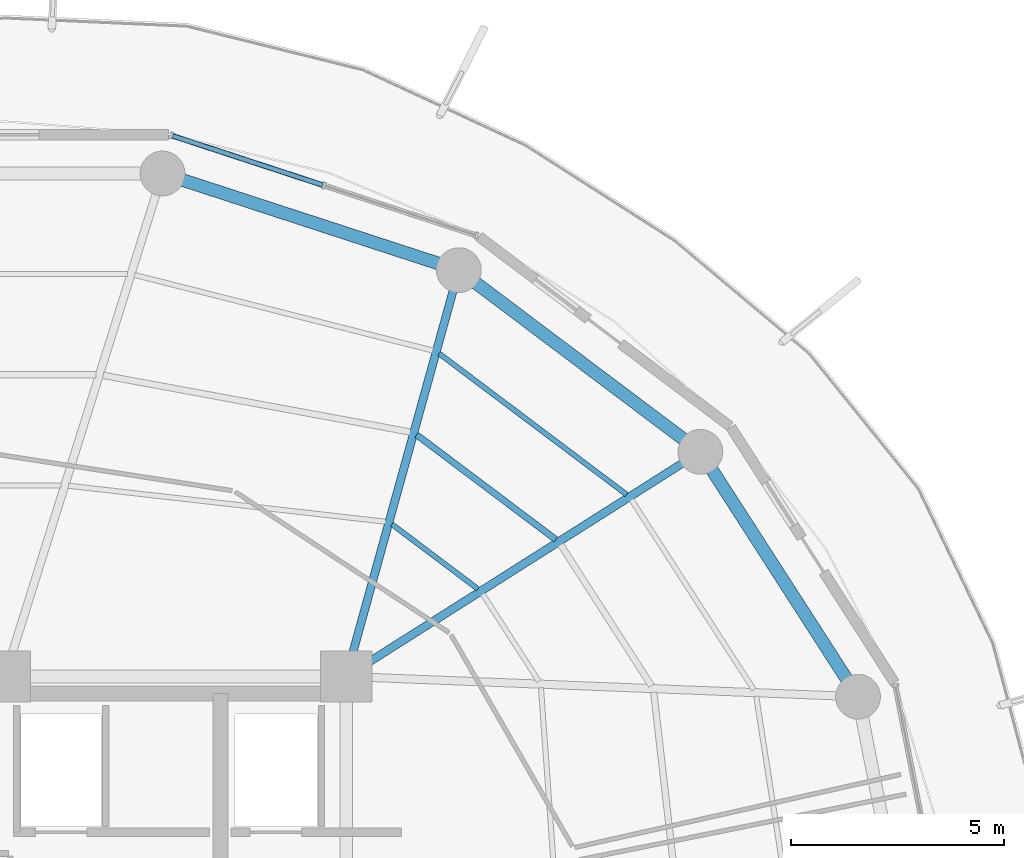
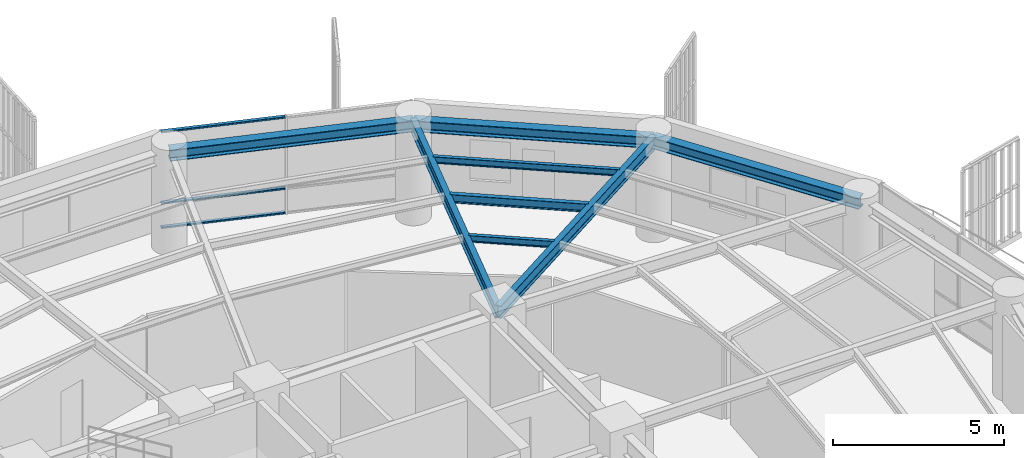
# One storey, part 21 of 31: 8 beams, 3 members, 1 element without a shape of its own.
"""IFC4 building model written with IfcOpenShell, lengths in metres."""

from ifc_helpers import new_model, si_unit, direction, frame, origin, origin_2d, place, context, subcontext, project, spatial, hollow_rectangle, i_section, extrude, material, layer, layer_set, material_profile, profile_set, type_object, element, aggregate, save


model = new_model("IFC4")

# Units and contexts
model_context = context("Model", 3, precision=1e-05, world=origin(), true_north=direction((0.0, 1.0)))
body_context = subcontext(model_context, "Body", "Model", "MODEL_VIEW")
ifc_project = project(units=[si_unit("LENGTHUNIT", "METRE"), si_unit("AREAUNIT", "SQUARE_METRE"), si_unit("VOLUMEUNIT", "CUBIC_METRE"), si_unit("PLANEANGLEUNIT", "RADIAN"), si_unit("MASSUNIT", "GRAM", prefix="KILO")], contexts=[model_context])

# Site, building, storey
site_placement = place(None, origin())
site = spatial("IfcSite", under=ifc_project, at=site_placement, CompositionType="ELEMENT")
building_placement = place(site_placement, origin())
building = spatial("IfcBuilding", under=site, at=building_placement, Name="Kelanora Arch Commons", CompositionType="ELEMENT")
storey_placement = place(building_placement, frame((0.0, 0.0, 196.949951171875)))
storey = spatial("IfcBuildingStorey", under=building, at=storey_placement, Name="L50", CompositionType="ELEMENT", Elevation=196.949951171875)

# Beams
ifc_material_1 = material(Name="Steel S355", Category="steel")
ifc_material_profile_1 = material_profile(ifc_material_1, i_section(OverallWidth=0.14990234375, OverallDepth=0.300048828125, WebThickness=0.007080078125, FlangeThickness=0.0107421875, FilletRadius=0.014892578125, at=origin_2d()), Name="IPE300")
ifc_profile_set_1 = profile_set([ifc_material_profile_1], Name="Steel S355")
beam_type_1 = type_object("IfcBeamType", Name="BM-JST-01", PredefinedType="JOIST", material=ifc_profile_set_1)
beam_1_placement = place(storey_placement, frame((86.912841796875, 68.209716796875, 3.340087890625), z_axis=(-0.799101708656, 0.601195857624, 0.0), x_axis=(-0.601195857624, -0.799101708656, 0.0)))
element("IfcBeam", 1, at=beam_1_placement, inside=storey, type_object=beam_type_1, Name="Secondary Chord Joist BJB-04 L50", PredefinedType="JOIST", context=body_context, shape_type="SweptSolid", body=[
    extrude(i_section(OverallWidth=0.14990234375, OverallDepth=0.300048828125, WebThickness=0.007080078125, FlangeThickness=0.0107421875, FilletRadius=0.014892578125, at=origin_2d()), origin(), (0.0, 0.0, 1.0), 4.080810546875),
])
ifc_material_profile_2 = material_profile(ifc_material_1, i_section(OverallWidth=0.1201171875, OverallDepth=0.239990234375, WebThickness=0.006103515625, FlangeThickness=0.009765625, FilletRadius=0.014892578125, at=origin_2d()), Name="IPE240")
ifc_profile_set_2 = profile_set([ifc_material_profile_2], Name="Steel S355")
beam_type_2 = type_object("IfcBeamType", Name="BM-JST-02", PredefinedType="JOIST", material=ifc_profile_set_2)
beam_2_placement = place(storey_placement, frame((85.086669921875, 67.051513671875, 3.3701171875), z_axis=(-0.79911638933, 0.601176343766, 0.0), x_axis=(-0.601176343766, -0.79911638933, 0.0)))
element("IfcBeam", 2, at=beam_2_placement, inside=storey, type_object=beam_type_2, Name="Secondary Chord Joist BJA-04 L50", PredefinedType="JOIST", context=body_context, shape_type="SweptSolid", body=[
    extrude(i_section(OverallWidth=0.1201171875, OverallDepth=0.239990234375, WebThickness=0.006103515625, FlangeThickness=0.009765625, FilletRadius=0.014892578125, at=origin_2d()), origin(), (0.0, 0.0, 1.0), 2.522216796875),
])
beam_3_placement = place(storey_placement, frame((88.5732421875, 69.2626953125, 3.3701171875), z_axis=(-0.799109197935, 0.601185902842, 0.0), x_axis=(-0.601185902842, -0.799109197935, 0.0)))
element("IfcBeam", 3, at=beam_3_placement, inside=storey, type_object=beam_type_2, Name="Secondary Chord Joist BJC-04 L50", PredefinedType="JOIST", context=body_context, shape_type="SweptSolid", body=[
    extrude(i_section(OverallWidth=0.1201171875, OverallDepth=0.239990234375, WebThickness=0.006103515625, FlangeThickness=0.009765625, FilletRadius=0.014892578125, at=origin_2d()), origin(), (0.0, 0.0, 1.0), 5.497802734375),
])
ifc_material_profile_3 = material_profile(ifc_material_1, i_section(OverallWidth=0.18994140625, OverallDepth=0.449951171875, WebThickness=0.009521484375, FlangeThickness=0.0146484375, FilletRadius=0.02099609375, at=origin_2d()), Name="IPE450")
ifc_profile_set_3 = profile_set([ifc_material_profile_3], Name="Steel S355")
beam_type_3 = type_object("IfcBeamType", Name="BM-RAD-Z4", PredefinedType="BEAM", material=ifc_profile_set_3)
beam_4_placement = place(storey_placement, frame((82.0, 65.0, 3.26513671875), z_axis=(0.844507208607, 0.535544185489, 0.0), x_axis=(-0.535544185489, 0.844507208607, 0.0)))
element("IfcBeam", 4, at=beam_4_placement, inside=storey, type_object=beam_type_3, Name="Radial Floor Girder BR-04 L50", PredefinedType="BEAM", context=body_context, shape_type="SweptSolid", body=[
    extrude(i_section(OverallWidth=0.18994140625, OverallDepth=0.449951171875, WebThickness=0.009521484375, FlangeThickness=0.0146484375, FilletRadius=0.02099609375, at=origin_2d()), origin(), (0.0, 0.0, 1.0), 9.830078125),
])
beam_5_placement = place(storey_placement, frame((82.0, 65.0, 3.26513671875), z_axis=(0.267120164296, 0.963663228429, 0.0), x_axis=(-0.963663228429, 0.267120164296, 0.0)))
element("IfcBeam", 5, at=beam_5_placement, inside=storey, type_object=beam_type_3, Name="Radial Floor Girder BR-06 L50", PredefinedType="BEAM", context=body_context, shape_type="SweptSolid", body=[
    extrude(i_section(OverallWidth=0.18994140625, OverallDepth=0.449951171875, WebThickness=0.009521484375, FlangeThickness=0.0146484375, FilletRadius=0.02099609375, at=origin_2d()), origin(), (0.0, 0.0, 1.0), 9.8828125),
])
ifc_material_profile_4 = material_profile(ifc_material_1, i_section(OverallWidth=0.300048828125, OverallDepth=0.39990234375, WebThickness=0.013427734375, FlangeThickness=0.02392578125, FilletRadius=0.027099609375, at=origin_2d()), Name="HEB400")
ifc_profile_set_4 = profile_set([ifc_material_profile_4], Name="Steel S355")
beam_type_4 = type_object("IfcBeamType", Name="BM-SPN-Z4", PredefinedType="SPANDREL", material=ifc_profile_set_4)
beam_6_placement = place(storey_placement, frame((93.99658203125, 64.525634765625, 3.2900390625), z_axis=(-0.541364878868, 0.840787766281, 0.0), x_axis=(-0.840787766281, -0.541364878868, 0.0)))
element("IfcBeam", 6, at=beam_6_placement, inside=storey, type_object=beam_type_4, Name="Perimeter Spandrel Beam BS-02 L50", PredefinedType="SPANDREL", context=body_context, shape_type="SweptSolid", body=[
    extrude(i_section(OverallWidth=0.300048828125, OverallDepth=0.39990234375, WebThickness=0.013427734375, FlangeThickness=0.02392578125, FilletRadius=0.027099609375, at=origin_2d()), origin(), (0.0, 0.0, 1.0), 6.825439453125),
])
beam_7_placement = place(storey_placement, frame((90.301513671875, 70.264404296875, 3.2900390625), z_axis=(-0.799114211715, 0.60117923836, 0.0), x_axis=(-0.60117923836, -0.799114211715, 0.0)))
element("IfcBeam", 7, at=beam_7_placement, inside=storey, type_object=beam_type_4, Name="Perimeter Spandrel Beam BS-04 L50", PredefinedType="SPANDREL", context=body_context, shape_type="SweptSolid", body=[
    extrude(i_section(OverallWidth=0.300048828125, OverallDepth=0.39990234375, WebThickness=0.013427734375, FlangeThickness=0.02392578125, FilletRadius=0.027099609375, at=origin_2d()), origin(), (0.0, 0.0, 1.0), 7.0849609375),
])
beam_8_placement = place(storey_placement, frame((84.639892578125, 74.523681640625, 3.2900390625), z_axis=(-0.950656361143, 0.310245842872, 0.0), x_axis=(-0.310245842872, -0.950656361143, 0.0)))
element("IfcBeam", 8, at=beam_8_placement, inside=storey, type_object=beam_type_4, Name="Perimeter Spandrel Beam BS-06 L50", PredefinedType="SPANDREL", context=body_context, shape_type="SweptSolid", body=[
    extrude(i_section(OverallWidth=0.300048828125, OverallDepth=0.39990234375, WebThickness=0.013427734375, FlangeThickness=0.02392578125, FilletRadius=0.027099609375, at=origin_2d()), origin(), (0.0, 0.0, 1.0), 7.304931640625),
])

# Curtain wall, members
ifc_material_2 = material(Name="Terracotta ceramic-fritted low-E glass and aluminium", Category="masonry")
ifc_layer = layer(ifc_material_2, 0.175048828125)
ifc_layer_set = layer_set([ifc_layer], Name="Terracotta ceramic-fritted low-E glass and aluminium")
curtain_wall_type = type_object("IfcCurtainWallType", Name="CW-SYS-02", PredefinedType="NOTDEFINED", material=ifc_layer_set)
curtain_wall_placement = place(storey_placement, origin())
curtain_wall = element("IfcCurtainWall", 9, at=curtain_wall_placement, inside=storey, type_object=curtain_wall_type, Name="Unitised Curtain Wall L50-B03", PredefinedType="NOTDEFINED")
ifc_material_3 = material(Name="Powder-coated aluminium terracotta", Category="masonry")
ifc_material_profile_5 = material_profile(ifc_material_3, hollow_rectangle(XDim=0.1201171875, YDim=0.06005859375, WallThickness=0.0048828125, InnerFilletRadius=0.0048828125, OuterFilletRadius=0.010009765625, at=origin_2d()), Name="CWT120x60")
ifc_profile_set_5 = profile_set([ifc_material_profile_5], Name="Powder-coated aluminium terracotta")
member_type = type_object("IfcMemberType", Name="CWT-STD", PredefinedType="USERDEFINED", material=ifc_profile_set_5)
member_1_placement = place(storey_placement, frame((81.448974609375, 76.517578125, 0.030029296875), z_axis=(-0.950206527055, 0.311620852867, 0.0), x_axis=(-0.311620852867, -0.950206527055, 0.0)))
member_1 = element("IfcMember", 10, at=member_1_placement, type_object=member_type, Name="CW-02 transom 2.1", ObjectType="TRANSOM", PredefinedType="USERDEFINED", context=body_context, shape_type="SweptSolid", body=[
    extrude(hollow_rectangle(XDim=0.1201171875, YDim=0.06005859375, WallThickness=0.0048828125, InnerFilletRadius=0.0048828125, OuterFilletRadius=0.010009765625, at=origin_2d()), origin(), (0.0, 0.0, 1.0), 3.707275390625),
])
member_2_placement = place(storey_placement, frame((81.448974609375, 76.517578125, 0.900146484375), z_axis=(-0.950206527055, 0.311620852867, 0.0), x_axis=(-0.311620852867, -0.950206527055, 0.0)))
member_2 = element("IfcMember", 11, at=member_2_placement, type_object=member_type, Name="CW-02 transom 2.2", ObjectType="TRANSOM", PredefinedType="USERDEFINED", context=body_context, shape_type="SweptSolid", body=[
    extrude(hollow_rectangle(XDim=0.1201171875, YDim=0.06005859375, WallThickness=0.0048828125, InnerFilletRadius=0.0048828125, OuterFilletRadius=0.010009765625, at=origin_2d()), origin(), (0.0, 0.0, 1.0), 3.707275390625),
])
member_3_placement = place(storey_placement, frame((81.448974609375, 76.517578125, 3.445068359375), z_axis=(-0.950206527055, 0.311620852867, 0.0), x_axis=(-0.311620852867, -0.950206527055, 0.0)))
member_3 = element("IfcMember", 12, at=member_3_placement, type_object=member_type, Name="CW-02 transom 2.3", ObjectType="TRANSOM", PredefinedType="USERDEFINED", context=body_context, shape_type="SweptSolid", body=[
    extrude(hollow_rectangle(XDim=0.1201171875, YDim=0.06005859375, WallThickness=0.0048828125, InnerFilletRadius=0.0048828125, OuterFilletRadius=0.010009765625, at=origin_2d()), origin(), (0.0, 0.0, 1.0), 3.707275390625),
])
aggregate(curtain_wall, [member_1, member_2, member_3])

save(model, "model.ifc")
